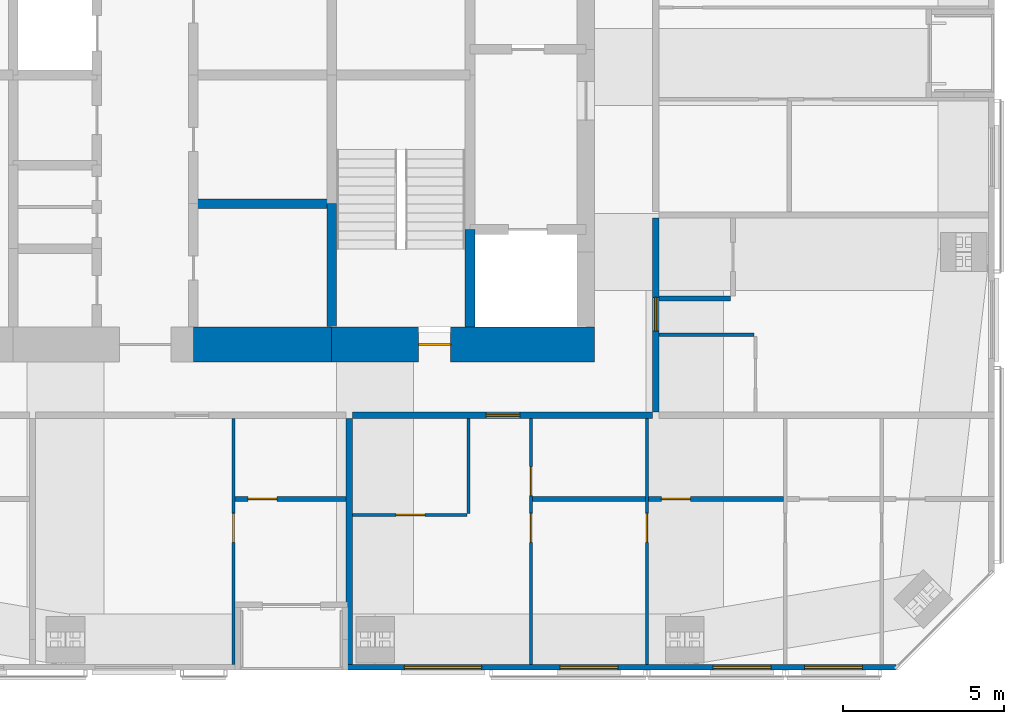
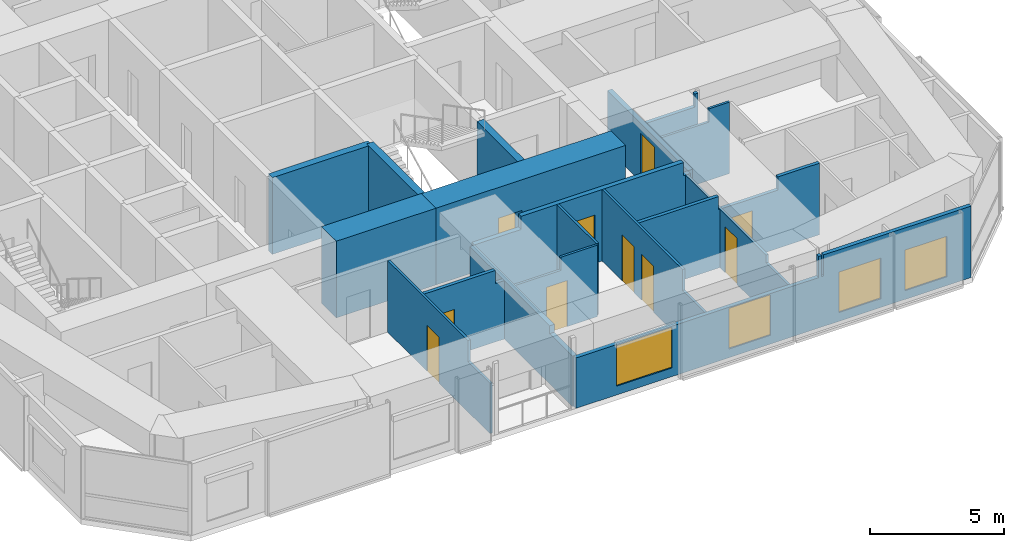
# One storey, part 15 of 20: 19 walls, 10 doors, 4 windows, 14 openings.
"""IFC4 building model written with IfcOpenShell, lengths in metres."""

from ifc_helpers import new_model, si_unit, direction, frame, frame_2d, origin, place, context, subcontext, project, spatial, polyline, rectangle, outline, extrude, material, layer, layer_set, constituent, constituent_set, type_object, element, fill, save


model = new_model("IFC4")

# Units and contexts
model_context = context("Model", 3, precision=1e-05, world=origin(), true_north=direction((0.0, 1.0)))
body_context = subcontext(model_context, "Body", "Model", "MODEL_VIEW")
ifc_project = project(units=[si_unit("LENGTHUNIT", "METRE"), si_unit("AREAUNIT", "SQUARE_METRE"), si_unit("VOLUMEUNIT", "CUBIC_METRE"), si_unit("PLANEANGLEUNIT", "RADIAN"), si_unit("MASSUNIT", "GRAM", prefix="KILO")], contexts=[model_context])

# Site, building, storey
site_placement = place(None, origin())
site = spatial("IfcSite", under=ifc_project, at=site_placement, CompositionType="ELEMENT")
building_placement = place(site_placement, origin())
building = spatial("IfcBuilding", under=site, at=building_placement, Name="Jalousie Tower", CompositionType="ELEMENT")
storey_placement = place(building_placement, frame((0.0, 0.0, 242.449951171875)))
storey = spatial("IfcBuildingStorey", under=building, at=storey_placement, Name="L66", CompositionType="ELEMENT", Elevation=242.449951171875)

# Wall, opening, door
ifc_material_1 = material(Name="Concrete block ASTM C90", Category="concrete")
ifc_constituent_1 = constituent(ifc_material_1, Name="Body")
ifc_material_2 = material(Name="Render")
ifc_constituent_2 = constituent(ifc_material_2, Name="Finish")
ifc_constituent_set_1 = constituent_set(constituents=[ifc_constituent_1, ifc_constituent_2])
wall_type_1 = type_object("IfcWallType", Name="BATHROOM WALL 150", PredefinedType="PLUMBINGWALL", material=ifc_constituent_set_1)
wall_1_placement = place(storey_placement, frame((32.89990234375, 5.324951171875, 0.0), z_axis=(0.0, 0.0, 1.0), x_axis=(1.0, 0.0, 0.0)))
wall_1 = element("IfcWall", 1, at=wall_1_placement, inside=storey, type_object=wall_type_1, Name="Bathroom Wall 150 L66", PredefinedType="PLUMBINGWALL", context=body_context, shape_type="SweptSolid", body=[
    extrude(outline(polyline([(0.0, 0.0), (3.4501953125, 0.0), (3.449951171875, 3.260009765625), (3.449951171875, 2.66015625), (3.06494140625, 2.66015625), (3.06494140625, 3.260009765625), (0.0, 3.260009765625), (0.0, 0.0)])), frame((0.0, 0.074951171875, 0.0), z_axis=(0.0, -1.0, 0.0), x_axis=(1.0, 0.0, 0.0)), (0.0, 0.0, 1.0), 0.14990234375),
])
opening_1_placement = place(wall_1_placement, frame((0.39990234375, 0.0, 0.0)))
opening_1 = element("IfcOpeningElement", 2, at=opening_1_placement, cuts=wall_1, Name="Opening D3", PredefinedType="OPENING", context=body_context, shape_type="SweptSolid", body=[
    extrude(rectangle(XDim=0.89990234375, YDim=2.10009765625, at=frame_2d((0.449951171875, 1.050048828125))), frame((0.0, 0.0849609375, 0.0), z_axis=(0.0, -1.0, 0.0), x_axis=(1.0, 0.0, 0.0)), (0.0, 0.0, 1.0), 0.169921875),
])
ifc_material_3 = material(Name="Timber door", Category="wood")
door_type_1 = type_object("IfcDoorType", Name="BATHROOM DOOR 900", OperationType="SINGLE_SWING_LEFT", PredefinedType="DOOR", material=ifc_material_3)
door_1_placement = place(opening_1_placement, origin())
door_1 = element("IfcDoor", 3, at=door_1_placement, inside=storey, type_object=door_type_1, Name="Apartment 6602 bedroom 1 bathroom door", OperationType="SINGLE_SWING_LEFT", OverallHeight=2.10009765625, OverallWidth=0.89990234375, PredefinedType="DOOR", context=body_context, shape_type="SweptSolid", body=[
    extrude(rectangle(XDim=0.89990234375, YDim=2.10009765625, at=frame_2d((0.449951171875, 1.050048828125))), frame((0.0, 0.02490234375, 0.0), z_axis=(0.0, -1.0, 0.0), x_axis=(1.0, 0.0, 0.0)), (0.0, 0.0, 1.0), 0.050048828125),
])
fill(opening_1, door_1)

# Wall
wall_2_placement = place(storey_placement, frame((42.14990234375, 5.324951171875, 0.0), z_axis=(0.0, 0.0, 1.0), x_axis=(1.0, 0.0, 0.0)))
element("IfcWall", 4, at=wall_2_placement, inside=storey, type_object=wall_type_1, Name="Bathroom Wall 150 L66", PredefinedType="PLUMBINGWALL", context=body_context, shape_type="SweptSolid", body=[
    extrude(outline(polyline([(0.0, 0.0), (3.5, 0.0), (3.5, 3.260009765625), (3.5, 2.66015625), (3.43994140625, 2.66015625), (3.43994140625, 3.260009765625), (0.0, 3.260009765625), (0.0, 0.0)])), frame((0.0, 0.074951171875, 0.0), z_axis=(0.0, -1.0, 0.0), x_axis=(1.0, 0.0, 0.0)), (0.0, 0.0, 1.0), 0.14990234375),
])

# Wall, opening, door
wall_3_placement = place(storey_placement, frame((45.75, 5.324951171875, 0.0), z_axis=(0.0, 0.0, 1.0), x_axis=(1.0, 0.0, 0.0)))
wall_3 = element("IfcWall", 5, at=wall_3_placement, inside=storey, type_object=wall_type_1, Name="Bathroom Wall 150 L66", PredefinedType="PLUMBINGWALL", context=body_context, shape_type="SweptSolid", body=[
    extrude(outline(polyline([(0.0, 0.0), (4.199951171875, 0.0), (4.199951171875, 3.260009765625), (2.409912109375, 3.260009765625), (2.409912109375, 2.66015625), (0.0, 2.66015625), (0.0, 3.260009765625), (0.0, 0.0)])), frame((0.0, 0.074951171875, 0.0), z_axis=(0.0, -1.0, 0.0), x_axis=(1.0, 0.0, 0.0)), (0.0, 0.0, 1.0), 0.14990234375),
])
opening_2_placement = place(wall_3_placement, frame((0.39990234375, 0.0, 0.0)))
opening_2 = element("IfcOpeningElement", 6, at=opening_2_placement, cuts=wall_3, Name="Opening D3", PredefinedType="OPENING", context=body_context, shape_type="SweptSolid", body=[
    extrude(rectangle(XDim=0.89990234375, YDim=2.10009765625, at=frame_2d((0.449951171875, 1.050048828125))), frame((0.0, 0.0849609375, 0.0), z_axis=(0.0, -1.0, 0.0), x_axis=(1.0, 0.0, 0.0)), (0.0, 0.0, 1.0), 0.169921875),
])
door_2_placement = place(opening_2_placement, origin())
door_2 = element("IfcDoor", 7, at=door_2_placement, inside=storey, type_object=door_type_1, Name="Apartment 6603 bedroom 2 bathroom door", OperationType="SINGLE_SWING_LEFT", OverallHeight=2.10009765625, OverallWidth=0.89990234375, PredefinedType="DOOR", context=body_context, shape_type="SweptSolid", body=[
    extrude(rectangle(XDim=0.89990234375, YDim=2.10009765625, at=frame_2d((0.449951171875, 1.050048828125))), frame((0.0, 0.02490234375, 0.0), z_axis=(0.0, -1.0, 0.0), x_axis=(1.0, 0.0, 0.0)), (0.0, 0.0, 1.0), 0.050048828125),
])
fill(opening_2, door_2)

# Walls
wall_4_placement = place(storey_placement, frame((48.300048828125, 11.550048828125, 0.0), z_axis=(0.0, 0.0, 1.0), x_axis=(-1.0, 0.0, 0.0)))
element("IfcWall", 8, at=wall_4_placement, inside=storey, type_object=wall_type_1, Name="Bathroom Wall 150 L66", PredefinedType="PLUMBINGWALL", context=body_context, shape_type="SweptSolid", body=[
    extrude(outline(polyline([(0.0, 0.0), (2.22509765625, 0.0), (2.22509765625, 3.260009765625), (2.22509765625, 2.66015625), (0.139892578125, 2.66015625), (0.139892578125, 3.260009765625), (0.0, 3.260009765625), (0.0, 0.0)])), frame((0.0, 0.074951171875, 0.0), z_axis=(0.0, -1.0, 0.0), x_axis=(1.0, 0.0, 0.0)), (0.0, 0.0, 1.0), 0.14990234375),
])
ifc_material_4 = material(Name="Concrete f'c 120 MPa", Category="concrete")
ifc_layer_1 = layer(ifc_material_4, 1.10009765625)
ifc_layer_set_1 = layer_set([ifc_layer_1], Name="Concrete f'c 120 MPa")
wall_type_2 = type_object("IfcWallType", Name="CORE WALL 1100", PredefinedType="SHEAR", material=ifc_layer_set_1)
wall_5_placement = place(storey_placement, frame((31.60009765625, 10.125, 0.0), z_axis=(0.0, 0.0, 1.0), x_axis=(1.0, 0.0, 0.0)))
element("IfcWall", 9, at=wall_5_placement, inside=storey, type_object=wall_type_2, Name="Core wall SC L66", PredefinedType="SHEAR", context=body_context, shape_type="SweptSolid", body=[
    extrude(rectangle(XDim=4.2998046875, YDim=1.10009765625, at=frame_2d((2.14990234375, 0.0))), origin(), (0.0, 0.0, 1.0), 3.5),
])

# Wall, opening, door
wall_6_placement = place(storey_placement, frame((35.89990234375, 10.125, 0.0), z_axis=(0.0, 0.0, 1.0), x_axis=(1.0, 0.0, 0.0)))
wall_6 = element("IfcWall", 10, at=wall_6_placement, inside=storey, type_object=wall_type_2, Name="Core wall SD L66", PredefinedType="SHEAR", context=body_context, shape_type="SweptSolid", body=[
    extrude(rectangle(XDim=8.175048828125, YDim=1.10009765625, at=frame_2d((4.08740234375, 0.0))), origin(), (0.0, 0.0, 1.0), 3.5),
])
opening_3_placement = place(wall_6_placement, frame((2.699951171875, 0.0, 0.0)))
opening_3 = element("IfcOpeningElement", 11, at=opening_3_placement, cuts=wall_6, Name="Opening D10", PredefinedType="OPENING", context=body_context, shape_type="SweptSolid", body=[
    extrude(rectangle(XDim=1.0, YDim=2.10009765625, at=frame_2d((0.5, 1.050048828125))), frame((0.0, 0.56005859375, 0.0), z_axis=(0.0, -1.0, 0.0), x_axis=(1.0, 0.0, 0.0)), (0.0, 0.0, 1.0), 1.1201171875),
])
ifc_material_5 = material(Name="Steel fire door", Category="steel")
door_type_2 = type_object("IfcDoorType", Name="STAIR DOOR 1000", OperationType="SINGLE_SWING_LEFT", PredefinedType="DOOR", material=ifc_material_5)
door_3_placement = place(opening_3_placement, origin())
door_3 = element("IfcDoor", 12, at=door_3_placement, inside=storey, type_object=door_type_2, Name="Exit stair C door", OperationType="SINGLE_SWING_RIGHT", OverallHeight=2.10009765625, OverallWidth=1.0, PredefinedType="DOOR", context=body_context, shape_type="SweptSolid", body=[
    extrude(rectangle(XDim=1.0, YDim=2.10009765625, at=frame_2d((0.5, 1.050048828125))), frame((0.0, 0.02490234375, 0.0), z_axis=(0.0, -1.0, 0.0), x_axis=(1.0, 0.0, 0.0)), (0.0, 0.0, 1.0), 0.050048828125),
])
fill(opening_3, door_3)

# Walls
ifc_material_6 = material(Name="Concrete f'c 120 MPa", Category="concrete")
ifc_layer_2 = layer(ifc_material_6, 0.300048828125)
ifc_layer_set_2 = layer_set([ifc_layer_2], Name="Concrete f'c 120 MPa")
wall_type_3 = type_object("IfcWallType", Name="CORE WALL 300", PredefinedType="SHEAR", material=ifc_layer_set_2)
wall_7_placement = place(storey_placement, frame((35.89990234375, 10.675048828125, 0.0), z_axis=(0.0, 0.0, 1.0), x_axis=(0.0, 1.0, 0.0)))
element("IfcWall", 13, at=wall_7_placement, inside=storey, type_object=wall_type_3, Name="Core wall X35.9A L66", PredefinedType="SHEAR", context=body_context, shape_type="SweptSolid", body=[
    extrude(rectangle(XDim=3.824951171875, YDim=0.300048828125, at=frame_2d((1.91259765625, 0.0))), origin(), (0.0, 0.0, 1.0), 3.5),
])
wall_8_placement = place(storey_placement, frame((40.199951171875, 10.675048828125, 0.0), z_axis=(0.0, 0.0, 1.0), x_axis=(0.0, 1.0, 0.0)))
element("IfcWall", 14, at=wall_8_placement, inside=storey, type_object=wall_type_3, Name="Core wall X40.2A L66", PredefinedType="SHEAR", context=body_context, shape_type="SweptSolid", body=[
    extrude(rectangle(XDim=3.02490234375, YDim=0.300048828125, at=frame_2d((1.512451171875, 0.0))), origin(), (0.0, 0.0, 1.0), 3.5),
])
wall_9_placement = place(storey_placement, frame((31.60009765625, 14.5, 0.0), z_axis=(0.0, 0.0, 1.0), x_axis=(1.0, 0.0, 0.0)))
element("IfcWall", 15, at=wall_9_placement, inside=storey, type_object=wall_type_3, Name="Core wall Y31.6-14.5 L66", PredefinedType="SHEAR", context=body_context, shape_type="SweptSolid", body=[
    extrude(rectangle(XDim=4.2998046875, YDim=0.300048828125, at=frame_2d((2.14990234375, 0.0))), origin(), (0.0, 0.0, 1.0), 3.5),
])

# Wall, opening, door
ifc_material_7 = material(Name="Concrete block ASTM C90", Category="concrete")
ifc_constituent_3 = constituent(ifc_material_7, Name="Body")
ifc_material_8 = material(Name="Render")
ifc_constituent_4 = constituent(ifc_material_8, Name="Finish")
ifc_constituent_set_2 = constituent_set(constituents=[ifc_constituent_3, ifc_constituent_4])
wall_type_4 = type_object("IfcWallType", Name="CORRIDOR WALL 200", PredefinedType="PARTITIONING", material=ifc_constituent_set_2)
wall_10_placement = place(storey_placement, frame((36.550048828125, 7.925048828125, 0.0), z_axis=(0.0, 0.0, 1.0), x_axis=(1.0, 0.0, 0.0)))
wall_10 = element("IfcWall", 16, at=wall_10_placement, inside=storey, type_object=wall_type_4, Name="Corridor Wall 200 L66", PredefinedType="PARTITIONING", context=body_context, shape_type="SweptSolid", body=[
    extrude(outline(polyline([(0.0, 0.0), (9.324951171875, 0.0), (9.324951171875, 3.260009765625), (9.324951171875, 2.66015625), (9.014892578125, 2.66015625), (9.014892578125, 3.260009765625), (2.010009765625, 3.260009765625), (2.010009765625, 2.66015625), (0.0, 2.66015625), (0.0, 3.260009765625), (0.0, 0.0)])), frame((0.0, 0.10009765625, 0.0), z_axis=(0.0, -1.0, 0.0), x_axis=(1.0, 0.0, 0.0)), (0.0, 0.0, 1.0), 0.199951171875),
])
opening_4_placement = place(wall_10_placement, frame((4.14990234375, 0.0, 0.0)))
opening_4 = element("IfcOpeningElement", 17, at=opening_4_placement, cuts=wall_10, Name="Opening D1", PredefinedType="OPENING", context=body_context, shape_type="SweptSolid", body=[
    extrude(rectangle(XDim=1.050048828125, YDim=2.199951171875, at=frame_2d((0.52490234375, 1.10009765625))), frame((0.0, 0.10986328125, 0.0), z_axis=(0.0, -1.0, 0.0), x_axis=(1.0, 0.0, 0.0)), (0.0, 0.0, 1.0), 0.219970703125),
])
ifc_material_9 = material(Name="Timber fire door", Category="wood")
door_type_3 = type_object("IfcDoorType", Name="APARTMENT ENTRANCE DOOR 1050", OperationType="SINGLE_SWING_LEFT", PredefinedType="DOOR", material=ifc_material_9)
door_4_placement = place(opening_4_placement, frame((1.050048828125, 0.0, 0.0), z_axis=(0.0, 0.0, 1.0), x_axis=(-1.0, 0.0, 0.0)))
door_4 = element("IfcDoor", 18, at=door_4_placement, inside=storey, type_object=door_type_3, Name="Apartment 6603 entrance", OperationType="SINGLE_SWING_LEFT", OverallHeight=2.199951171875, OverallWidth=1.050048828125, PredefinedType="DOOR", context=body_context, shape_type="SweptSolid", body=[
    extrude(rectangle(XDim=1.050048828125, YDim=2.199951171875, at=frame_2d((0.52490234375, 1.10009765625))), frame((0.0, 0.02490234375, 0.0), z_axis=(0.0, -1.0, 0.0), x_axis=(1.0, 0.0, 0.0)), (0.0, 0.0, 1.0), 0.050048828125),
])
fill(opening_4, door_4)

wall_11_placement = place(storey_placement, frame((45.97509765625, 8.02490234375, 0.0), z_axis=(0.0, 0.0, 1.0), x_axis=(0.0, 1.0, 0.0)))
wall_11 = element("IfcWall", 19, at=wall_11_placement, inside=storey, type_object=wall_type_4, Name="Corridor Wall 200 L66", PredefinedType="PARTITIONING", context=body_context, shape_type="SweptSolid", body=[
    extrude(outline(polyline([(0.0, 0.0), (6.025146484375, 0.0), (6.02490234375, 3.260009765625), (6.02490234375, 2.66015625), (5.0849609375, 2.66015625), (0.0, 2.66015625), (0.0, 3.260009765625), (0.0, 0.0)])), frame((0.0, 0.10009765625, 0.0), z_axis=(0.0, -1.0, 0.0), x_axis=(1.0, 0.0, 0.0)), (0.0, 0.0, 1.0), 0.199951171875),
])
opening_5_placement = place(wall_11_placement, frame((2.512451171875, 0.0, 0.0)))
opening_5 = element("IfcOpeningElement", 20, at=opening_5_placement, cuts=wall_11, Name="Opening D1", PredefinedType="OPENING", context=body_context, shape_type="SweptSolid", body=[
    extrude(rectangle(XDim=1.050048828125, YDim=2.199951171875, at=frame_2d((0.52490234375, 1.10009765625))), frame((0.0, 0.10986328125, 0.0), z_axis=(0.0, -1.0, 0.0), x_axis=(1.0, 0.0, 0.0)), (0.0, 0.0, 1.0), 0.219970703125),
])
door_5_placement = place(opening_5_placement, frame((1.050048828125, 0.0, 0.0), z_axis=(0.0, 0.0, 1.0), x_axis=(-1.0, 0.0, 0.0)))
door_5 = element("IfcDoor", 21, at=door_5_placement, inside=storey, type_object=door_type_3, Name="Apartment 6605 entrance", OperationType="SINGLE_SWING_RIGHT", OverallHeight=2.199951171875, OverallWidth=1.050048828125, PredefinedType="DOOR", context=body_context, shape_type="SweptSolid", body=[
    extrude(rectangle(XDim=1.050048828125, YDim=2.199951171875, at=frame_2d((0.52490234375, 1.10009765625))), frame((0.0, 0.02490234375, 0.0), z_axis=(0.0, -1.0, 0.0), x_axis=(1.0, 0.0, 0.0)), (0.0, 0.0, 1.0), 0.050048828125),
])
fill(opening_5, door_5)

# Wall, openings, windows
ifc_material_10 = material(Name="Concrete f'c 40 MPa", Category="concrete")
ifc_constituent_5 = constituent(ifc_material_10, Name="Body")
ifc_material_11 = material(Name="Render, pastel sky blue")
ifc_constituent_6 = constituent(ifc_material_11, Name="Finish")
ifc_constituent_set_3 = constituent_set(constituents=[ifc_constituent_5, ifc_constituent_6])
wall_type_5 = type_object("IfcWallType", Name="EXTERNAL WALL 175 SKY BLUE RENDER", PredefinedType="SOLIDWALL", material=ifc_constituent_set_3)
wall_12_placement = place(storey_placement, frame((36.39990234375, 0.08740234375, 0.0), z_axis=(0.0, 0.0, 1.0), x_axis=(1.0, 0.0, 0.0)))
wall_12 = element("IfcWall", 22, at=wall_12_placement, inside=storey, type_object=wall_type_5, Name="External Wall 175 Sky Blue Render L66", PredefinedType="SOLIDWALL", context=body_context, shape_type="SweptSolid", body=[
    extrude(outline(polyline([(0.0, 0.0), (17.048828125, 0.0), (17.048583984375, 3.260009765625), (10.689697265625, 3.260009765625), (10.689697265625, 2.300048828125), (10.606201171875, 2.300048828125), (10.606201171875, 3.260009765625), (10.47509765625, 3.260009765625), (10.47509765625, 2.300048828125), (0.0, 2.300048828125), (0.0, 0.0)])), frame((0.0, 0.08740234375, 0.0), z_axis=(0.0, -1.0, 0.0), x_axis=(1.0, 0.0, 0.0)), (0.0, 0.0, 1.0), 0.175048828125),
])
opening_6_placement = place(wall_12_placement, frame((1.760009765625, 0.0, 0.39990234375)))
opening_6 = element("IfcOpeningElement", 23, at=opening_6_placement, cuts=wall_12, Name="Opening W-LIV185", PredefinedType="OPENING", context=body_context, shape_type="SweptSolid", body=[
    extrude(rectangle(XDim=2.39990234375, YDim=1.85009765625, at=frame_2d((1.199951171875, 0.925048828125))), frame((0.0, 0.097412109375, 0.0), z_axis=(0.0, -1.0, 0.0), x_axis=(1.0, 0.0, 0.0)), (0.0, 0.0, 1.0), 0.195068359375),
])
opening_7_placement = place(wall_12_placement, frame((6.60009765625, 0.0, 0.39990234375)))
opening_7 = element("IfcOpeningElement", 24, at=opening_7_placement, cuts=wall_12, Name="Opening W-BED185", PredefinedType="OPENING", context=body_context, shape_type="SweptSolid", body=[
    extrude(rectangle(XDim=1.800048828125, YDim=1.85009765625, at=frame_2d((0.89990234375, 0.925048828125))), frame((0.0, 0.097412109375, 0.0), z_axis=(0.0, -1.0, 0.0), x_axis=(1.0, 0.0, 0.0)), (0.0, 0.0, 1.0), 0.195068359375),
])
opening_8_placement = place(wall_12_placement, frame((11.357421875, 0.0, 0.39990234375)))
opening_8 = element("IfcOpeningElement", 25, at=opening_8_placement, cuts=wall_12, Name="Opening W-BED185", PredefinedType="OPENING", context=body_context, shape_type="SweptSolid", body=[
    extrude(rectangle(XDim=1.800048828125, YDim=1.85009765625, at=frame_2d((0.89990234375, 0.925048828125))), frame((0.0, 0.097412109375, 0.0), z_axis=(0.0, -1.0, 0.0), x_axis=(1.0, 0.0, 0.0)), (0.0, 0.0, 1.0), 0.195068359375),
])
opening_9_placement = place(wall_12_placement, frame((14.199951171875, 0.0, 0.39990234375)))
opening_9 = element("IfcOpeningElement", 26, at=opening_9_placement, cuts=wall_12, Name="Opening W-BED185", PredefinedType="OPENING", context=body_context, shape_type="SweptSolid", body=[
    extrude(rectangle(XDim=1.800048828125, YDim=1.85009765625, at=frame_2d((0.89990234375, 0.925048828125))), frame((0.0, 0.097412109375, 0.0), z_axis=(0.0, -1.0, 0.0), x_axis=(1.0, 0.0, 0.0)), (0.0, 0.0, 1.0), 0.195068359375),
])
ifc_material_12 = material(Name="Aluminium frame, impact-rated glazing", Category="aluminium")
window_type_1 = type_object("IfcWindowType", Name="WINDOW BED 1800x1850", PartitioningType="SINGLE_PANEL", PredefinedType="WINDOW", material=ifc_material_12)
window_1_placement = place(opening_7_placement, origin())
window_1 = element("IfcWindow", 27, at=window_1_placement, inside=storey, type_object=window_type_1, Name="Apartment 6603 bedroom 1 window", OverallHeight=1.85009765625, OverallWidth=1.800048828125, PartitioningType="SINGLE_PANEL", PredefinedType="WINDOW", context=body_context, shape_type="SweptSolid", body=[
    extrude(rectangle(XDim=1.800048828125, YDim=1.85009765625, at=frame_2d((0.89990234375, 0.925048828125))), frame((0.0, 0.030029296875, 0.0), z_axis=(0.0, -1.0, 0.0), x_axis=(1.0, 0.0, 0.0)), (0.0, 0.0, 1.0), 0.06005859375),
])
fill(opening_7, window_1)
window_2_placement = place(opening_8_placement, origin())
window_2 = element("IfcWindow", 28, at=window_2_placement, inside=storey, type_object=window_type_1, Name="Apartment 6603 bedroom 2 window", OverallHeight=1.85009765625, OverallWidth=1.800048828125, PartitioningType="SINGLE_PANEL", PredefinedType="WINDOW", context=body_context, shape_type="SweptSolid", body=[
    extrude(rectangle(XDim=1.800048828125, YDim=1.85009765625, at=frame_2d((0.89990234375, 0.925048828125))), frame((0.0, 0.030029296875, 0.0), z_axis=(0.0, -1.0, 0.0), x_axis=(1.0, 0.0, 0.0)), (0.0, 0.0, 1.0), 0.06005859375),
])
fill(opening_8, window_2)
window_3_placement = place(opening_9_placement, origin())
window_3 = element("IfcWindow", 29, at=window_3_placement, inside=storey, type_object=window_type_1, Name="Apartment 6603 bedroom 3 window", OverallHeight=1.85009765625, OverallWidth=1.800048828125, PartitioningType="SINGLE_PANEL", PredefinedType="WINDOW", context=body_context, shape_type="SweptSolid", body=[
    extrude(rectangle(XDim=1.800048828125, YDim=1.85009765625, at=frame_2d((0.89990234375, 0.925048828125))), frame((0.0, 0.030029296875, 0.0), z_axis=(0.0, -1.0, 0.0), x_axis=(1.0, 0.0, 0.0)), (0.0, 0.0, 1.0), 0.06005859375),
])
fill(opening_9, window_3)
ifc_material_13 = material(Name="Aluminium frame, impact-rated glazing", Category="aluminium")
window_type_2 = type_object("IfcWindowType", Name="WINDOW LIV 2400x1850", PartitioningType="DOUBLE_PANEL_VERTICAL", PredefinedType="WINDOW", material=ifc_material_13)
window_4_placement = place(opening_6_placement, origin())
window_4 = element("IfcWindow", 30, at=window_4_placement, inside=storey, type_object=window_type_2, Name="Apartment 6603 living and dining room window", OverallHeight=1.85009765625, OverallWidth=2.39990234375, PartitioningType="SINGLE_PANEL", PredefinedType="WINDOW", context=body_context, shape_type="SweptSolid", body=[
    extrude(rectangle(XDim=2.39990234375, YDim=1.85009765625, at=frame_2d((1.199951171875, 0.925048828125))), frame((0.0, 0.030029296875, 0.0), z_axis=(0.0, -1.0, 0.0), x_axis=(1.0, 0.0, 0.0)), (0.0, 0.0, 1.0), 0.06005859375),
])
fill(opening_6, window_4)

# Wall, opening, door
ifc_material_14 = material(Name="Gypsum board", Category="gypsum")
ifc_constituent_7 = constituent(ifc_material_14, Name="Body")
ifc_material_15 = material(Name="Light-gauge steel studs ASTM A653 SS Grade 33", Category="steel")
ifc_constituent_8 = constituent(ifc_material_15, Name="Framing")
ifc_constituent_set_4 = constituent_set(constituents=[ifc_constituent_7, ifc_constituent_8])
wall_type_6 = type_object("IfcWallType", Name="PARTITION 100", PredefinedType="PARTITIONING", material=ifc_constituent_set_4)
wall_13_placement = place(storey_placement, frame((32.85009765625, 0.175048828125, 0.0), z_axis=(0.0, 0.0, 1.0), x_axis=(0.0, 1.0, 0.0)))
wall_13 = element("IfcWall", 31, at=wall_13_placement, inside=storey, type_object=wall_type_6, Name="Partition 100 L66", PredefinedType="PARTITIONING", context=body_context, shape_type="SweptSolid", body=[
    extrude(outline(polyline([(0.0, 0.0), (7.64990234375, 0.0), (7.64990234375, 3.260009765625), (1.635009765625, 3.260009765625), (1.635009765625, 2.300048828125), (0.0, 2.300048828125), (0.0, 3.260009765625), (0.0, 0.0)])), frame((0.0, 0.050048828125, 0.0), z_axis=(0.0, -1.0, 0.0), x_axis=(1.0, 0.0, 0.0)), (0.0, 0.0, 1.0), 0.10009765625),
])
opening_10_placement = place(wall_13_placement, frame((3.800048828125, 0.0, 0.0)))
opening_10 = element("IfcOpeningElement", 32, at=opening_10_placement, cuts=wall_13, Name="Opening D2", PredefinedType="OPENING", context=body_context, shape_type="SweptSolid", body=[
    extrude(rectangle(XDim=0.89990234375, YDim=2.10009765625, at=frame_2d((0.449951171875, 1.050048828125))), frame((0.0, 0.06005859375, 0.0), z_axis=(0.0, -1.0, 0.0), x_axis=(1.0, 0.0, 0.0)), (0.0, 0.0, 1.0), 0.1201171875),
])
ifc_material_16 = material(Name="Timber door", Category="wood")
door_type_4 = type_object("IfcDoorType", Name="BEDROOM DOOR 900", OperationType="SINGLE_SWING_LEFT", PredefinedType="DOOR", material=ifc_material_16)
door_6_placement = place(opening_10_placement, frame((0.89990234375, 0.0, 0.0), z_axis=(0.0, 0.0, 1.0), x_axis=(-1.0, 0.0, 0.0)))
door_6 = element("IfcDoor", 33, at=door_6_placement, inside=storey, type_object=door_type_4, Name="Apartment 6602 bedroom 1 door", OperationType="SINGLE_SWING_LEFT", OverallHeight=2.10009765625, OverallWidth=0.89990234375, PredefinedType="DOOR", context=body_context, shape_type="SweptSolid", body=[
    extrude(rectangle(XDim=0.89990234375, YDim=2.10009765625, at=frame_2d((0.449951171875, 1.050048828125))), frame((0.0, 0.02490234375, 0.0), z_axis=(0.0, -1.0, 0.0), x_axis=(1.0, 0.0, 0.0)), (0.0, 0.0, 1.0), 0.050048828125),
])
fill(opening_10, door_6)

# Wall, openings, doors
wall_14_placement = place(storey_placement, frame((42.10009765625, 0.175048828125, 0.0), z_axis=(0.0, 0.0, 1.0), x_axis=(0.0, 1.0, 0.0)))
wall_14 = element("IfcWall", 34, at=wall_14_placement, inside=storey, type_object=wall_type_6, Name="Partition 100 L66", PredefinedType="PARTITIONING", context=body_context, shape_type="SweptSolid", body=[
    extrude(outline(polyline([(0.0, 0.0), (7.64990234375, 0.0), (7.64990234375, 3.260009765625), (1.635009765625, 3.260009765625), (1.635009765625, 2.300048828125), (0.0, 2.300048828125), (0.0, 3.260009765625), (0.0, 0.0)])), frame((0.0, 0.050048828125, 0.0), z_axis=(0.0, -1.0, 0.0), x_axis=(1.0, 0.0, 0.0)), (0.0, 0.0, 1.0), 0.10009765625),
])
opening_11_placement = place(wall_14_placement, frame((3.800048828125, 0.0, 0.0)))
opening_11 = element("IfcOpeningElement", 35, at=opening_11_placement, cuts=wall_14, Name="Opening D2", PredefinedType="OPENING", context=body_context, shape_type="SweptSolid", body=[
    extrude(rectangle(XDim=0.89990234375, YDim=2.10009765625, at=frame_2d((0.449951171875, 1.050048828125))), frame((0.0, 0.06005859375, 0.0), z_axis=(0.0, -1.0, 0.0), x_axis=(1.0, 0.0, 0.0)), (0.0, 0.0, 1.0), 0.1201171875),
])
opening_12_placement = place(wall_14_placement, frame((5.25, 0.0, 0.0)))
opening_12 = element("IfcOpeningElement", 36, at=opening_12_placement, cuts=wall_14, Name="Opening D7", PredefinedType="OPENING", context=body_context, shape_type="SweptSolid", body=[
    extrude(rectangle(XDim=0.89990234375, YDim=2.10009765625, at=frame_2d((0.449951171875, 1.050048828125))), frame((0.0, 0.06005859375, 0.0), z_axis=(0.0, -1.0, 0.0), x_axis=(1.0, 0.0, 0.0)), (0.0, 0.0, 1.0), 0.1201171875),
])
door_7_placement = place(opening_11_placement, frame((0.89990234375, 0.0, 0.0), z_axis=(0.0, 0.0, 1.0), x_axis=(-1.0, 0.0, 0.0)))
door_7 = element("IfcDoor", 37, at=door_7_placement, inside=storey, type_object=door_type_4, Name="Apartment 6603 bedroom 1 door", OperationType="SINGLE_SWING_LEFT", OverallHeight=2.10009765625, OverallWidth=0.89990234375, PredefinedType="DOOR", context=body_context, shape_type="SweptSolid", body=[
    extrude(rectangle(XDim=0.89990234375, YDim=2.10009765625, at=frame_2d((0.449951171875, 1.050048828125))), frame((0.0, 0.02490234375, 0.0), z_axis=(0.0, -1.0, 0.0), x_axis=(1.0, 0.0, 0.0)), (0.0, 0.0, 1.0), 0.050048828125),
])
fill(opening_11, door_7)
ifc_material_17 = material(Name="Timber door", Category="wood")
door_type_5 = type_object("IfcDoorType", Name="INTERNAL DOOR 900", OperationType="SINGLE_SWING_LEFT", PredefinedType="DOOR", material=ifc_material_17)
door_8_placement = place(opening_12_placement, frame((0.89990234375, 0.0, 0.0), z_axis=(0.0, 0.0, 1.0), x_axis=(-1.0, 0.0, 0.0)))
door_8 = element("IfcDoor", 38, at=door_8_placement, inside=storey, type_object=door_type_5, Name="Apartment 6603 bathroom door", OperationType="SINGLE_SWING_RIGHT", OverallHeight=2.10009765625, OverallWidth=0.89990234375, PredefinedType="DOOR", context=body_context, shape_type="SweptSolid", body=[
    extrude(rectangle(XDim=0.89990234375, YDim=2.10009765625, at=frame_2d((0.449951171875, 1.050048828125))), frame((0.0, 0.02490234375, 0.0), z_axis=(0.0, -1.0, 0.0), x_axis=(1.0, 0.0, 0.0)), (0.0, 0.0, 1.0), 0.050048828125),
])
fill(opening_12, door_8)

# Wall, opening, door
wall_15_placement = place(storey_placement, frame((45.699951171875, 0.175048828125, 0.0), z_axis=(0.0, 0.0, 1.0), x_axis=(0.0, 1.0, 0.0)))
wall_15 = element("IfcWall", 39, at=wall_15_placement, inside=storey, type_object=wall_type_6, Name="Partition 100 L66", PredefinedType="PARTITIONING", context=body_context, shape_type="SweptSolid", body=[
    extrude(outline(polyline([(0.0, 0.0), (7.64990234375, 0.0), (7.64990234375, 3.260009765625), (7.64990234375, 2.66015625), (1.635009765625, 2.66015625), (1.635009765625, 2.300048828125), (0.0, 2.300048828125), (0.0, 3.260009765625), (0.0, 0.0)])), frame((0.0, 0.050048828125, 0.0), z_axis=(0.0, -1.0, 0.0), x_axis=(1.0, 0.0, 0.0)), (0.0, 0.0, 1.0), 0.10009765625),
])
opening_13_placement = place(wall_15_placement, frame((3.800048828125, 0.0, 0.0)))
opening_13 = element("IfcOpeningElement", 40, at=opening_13_placement, cuts=wall_15, Name="Opening D2", PredefinedType="OPENING", context=body_context, shape_type="SweptSolid", body=[
    extrude(rectangle(XDim=0.89990234375, YDim=2.10009765625, at=frame_2d((0.449951171875, 1.050048828125))), frame((0.0, 0.06005859375, 0.0), z_axis=(0.0, -1.0, 0.0), x_axis=(1.0, 0.0, 0.0)), (0.0, 0.0, 1.0), 0.1201171875),
])
door_9_placement = place(opening_13_placement, frame((0.89990234375, 0.0, 0.0), z_axis=(0.0, 0.0, 1.0), x_axis=(-1.0, 0.0, 0.0)))
door_9 = element("IfcDoor", 41, at=door_9_placement, inside=storey, type_object=door_type_4, Name="Apartment 6603 bedroom 2 door", OperationType="SINGLE_SWING_LEFT", OverallHeight=2.10009765625, OverallWidth=0.89990234375, PredefinedType="DOOR", context=body_context, shape_type="SweptSolid", body=[
    extrude(rectangle(XDim=0.89990234375, YDim=2.10009765625, at=frame_2d((0.449951171875, 1.050048828125))), frame((0.0, 0.02490234375, 0.0), z_axis=(0.0, -1.0, 0.0), x_axis=(1.0, 0.0, 0.0)), (0.0, 0.0, 1.0), 0.050048828125),
])
fill(opening_13, door_9)

wall_16_placement = place(storey_placement, frame((36.550048828125, 4.824951171875, 0.0), z_axis=(0.0, 0.0, 1.0), x_axis=(1.0, 0.0, 0.0)))
wall_16 = element("IfcWall", 42, at=wall_16_placement, inside=storey, type_object=wall_type_6, Name="Partition 100 L66", PredefinedType="PARTITIONING", context=body_context, shape_type="SweptSolid", body=[
    extrude(outline(polyline([(0.0, 0.0), (3.550048828125, 0.0), (3.550048828125, 3.260009765625), (1.9599609375, 3.260009765625), (1.9599609375, 2.66015625), (0.0, 2.66015625), (0.0, 3.260009765625), (0.0, 0.0)])), frame((0.0, 0.050048828125, 0.0), z_axis=(0.0, -1.0, 0.0), x_axis=(1.0, 0.0, 0.0)), (0.0, 0.0, 1.0), 0.10009765625),
])
opening_14_placement = place(wall_16_placement, frame((1.35009765625, 0.0, 0.0)))
opening_14 = element("IfcOpeningElement", 43, at=opening_14_placement, cuts=wall_16, Name="Opening D7", PredefinedType="OPENING", context=body_context, shape_type="SweptSolid", body=[
    extrude(rectangle(XDim=0.89990234375, YDim=2.10009765625, at=frame_2d((0.449951171875, 1.050048828125))), frame((0.0, 0.06005859375, 0.0), z_axis=(0.0, -1.0, 0.0), x_axis=(1.0, 0.0, 0.0)), (0.0, 0.0, 1.0), 0.1201171875),
])
door_10_placement = place(opening_14_placement, frame((0.89990234375, 0.0, 0.0), z_axis=(0.0, 0.0, 1.0), x_axis=(-1.0, 0.0, 0.0)))
door_10 = element("IfcDoor", 44, at=door_10_placement, inside=storey, type_object=door_type_5, Name="Apartment 6603 kitchen door", OperationType="SINGLE_SWING_RIGHT", OverallHeight=2.10009765625, OverallWidth=0.89990234375, PredefinedType="DOOR", context=body_context, shape_type="SweptSolid", body=[
    extrude(rectangle(XDim=0.89990234375, YDim=2.10009765625, at=frame_2d((0.449951171875, 1.050048828125))), frame((0.0, 0.02490234375, 0.0), z_axis=(0.0, -1.0, 0.0), x_axis=(1.0, 0.0, 0.0)), (0.0, 0.0, 1.0), 0.050048828125),
])
fill(opening_14, door_10)

# Walls
wall_17_placement = place(storey_placement, frame((40.14990234375, 4.875, 0.0), z_axis=(0.0, 0.0, 1.0), x_axis=(0.0, 1.0, 0.0)))
element("IfcWall", 45, at=wall_17_placement, inside=storey, type_object=wall_type_6, Name="Partition 100 L66", PredefinedType="PARTITIONING", context=body_context, shape_type="SweptSolid", body=[
    extrude(rectangle(XDim=2.949951171875, YDim=0.10009765625, at=frame_2d((1.47509765625, 0.0))), origin(), (0.0, 0.0, 1.0), 3.260009765625),
])
wall_18_placement = place(storey_placement, frame((49.02490234375, 10.425048828125, 0.0), z_axis=(0.0, 0.0, 1.0), x_axis=(-1.0, 0.0, 0.0)))
element("IfcWall", 46, at=wall_18_placement, inside=storey, type_object=wall_type_6, Name="Partition 100 L66", PredefinedType="PARTITIONING", context=body_context, shape_type="SweptSolid", body=[
    extrude(outline(polyline([(0.0, 0.0), (2.949951171875, 0.0), (2.949951171875, 3.260009765625), (2.949951171875, 2.66015625), (0.889892578125, 2.66015625), (0.889892578125, 3.260009765625), (0.0, 3.260009765625), (0.0, 0.0)])), frame((0.0, 0.050048828125, 0.0), z_axis=(0.0, -1.0, 0.0), x_axis=(1.0, 0.0, 0.0)), (0.0, 0.0, 1.0), 0.10009765625),
])
ifc_material_18 = material(Name="Concrete block ASTM C90", Category="concrete")
ifc_constituent_9 = constituent(ifc_material_18, Name="Body")
ifc_material_19 = material(Name="Render")
ifc_constituent_10 = constituent(ifc_material_19, Name="Finish")
ifc_constituent_set_5 = constituent_set(constituents=[ifc_constituent_9, ifc_constituent_10])
wall_type_7 = type_object("IfcWallType", Name="PARTY WALL 200", PredefinedType="PARTITIONING", material=ifc_constituent_set_5)
wall_19_placement = place(storey_placement, frame((36.449951171875, 0.175048828125, 0.0), z_axis=(0.0, 0.0, 1.0), x_axis=(0.0, 1.0, 0.0)))
element("IfcWall", 47, at=wall_19_placement, inside=storey, type_object=wall_type_7, Name="Party Wall 200 L66", PredefinedType="PARTITIONING", context=body_context, shape_type="SweptSolid", body=[
    extrude(outline(polyline([(0.0, 0.0), (7.64990234375, 0.0), (7.64990234375, 3.260009765625), (7.64990234375, 2.66015625), (1.68505859375, 2.66015625), (1.68505859375, 2.300048828125), (0.0, 2.300048828125), (0.0, 3.260009765625), (0.0, 0.0)])), frame((0.0, 0.10009765625, 0.0), z_axis=(0.0, -1.0, 0.0), x_axis=(1.0, 0.0, 0.0)), (0.0, 0.0, 1.0), 0.199951171875),
])

save(model, "model.ifc")
